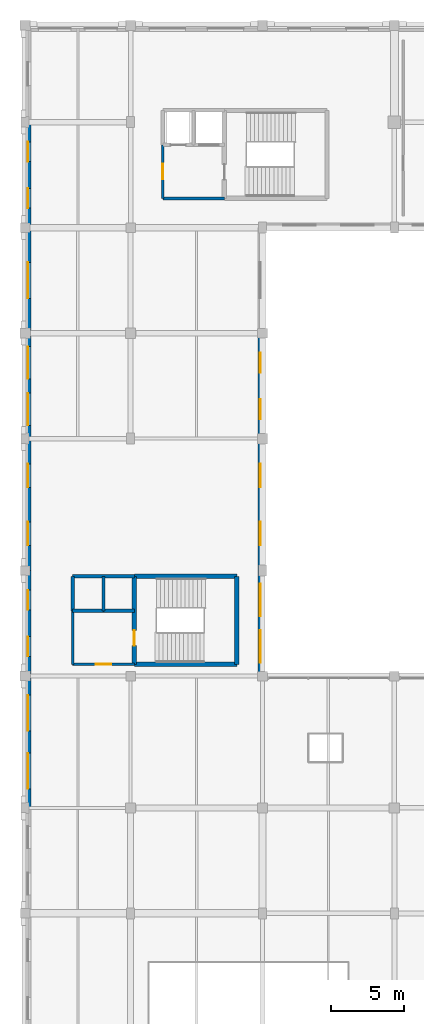
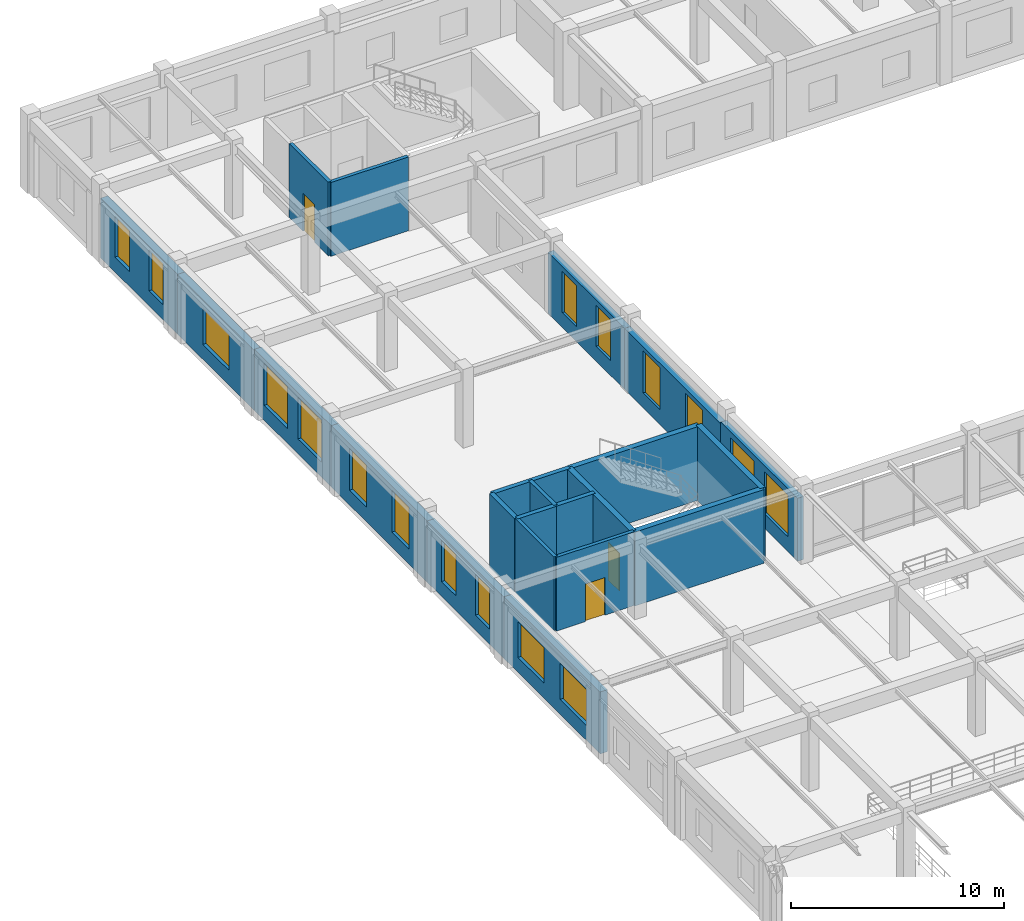
# One storey, part 41 of 62: 22 walls, 17 windows, 3 doors, 20 openings.
"""IFC4 building model written with IfcOpenShell, lengths in metres."""

import ifcopenshell
import ifcopenshell.guid

model = None  # the IFC model being written
_history = None  # IfcOwnerHistory: only IFC2X3 demands one
_inside = {}  # id of a spatial element -> (the spatial element, [elements in it])
_under = {}  # id of a project, library or spatial element -> (it, [spatial elements below it])
_declared = {}  # id of a project -> (the project, [libraries it declares])
_typed = {}  # id of a type object -> (the type object, [elements of that type])
_made_of = {}  # id of a material, layer set ... -> (it, [elements and type objects made of it])


def new_model(schema):
    """Start an empty IFC model of exactly this schema.

    Asked for "IFC4X3", IfcOpenShell would pick the latest addendum, in which some entities
    have other attributes; the version numbers below select the first issue.
    IFC2X3 requires an IfcOwnerHistory on every rooted entity: one is made here for all.
    """
    global model, _history
    if schema == "IFC4X3":
        model = ifcopenshell.file(schema_version=(4, 3, 0, 0))
    else:
        model = ifcopenshell.file(schema=schema)
    _inside.clear()
    _under.clear()
    _declared.clear()
    _typed.clear()
    _made_of.clear()
    _history = None
    if model.schema == "IFC2X3":
        org = make("IfcOrganization", Name="unknown")
        user = make(
            "IfcPersonAndOrganization",
            ThePerson=make("IfcPerson", FamilyName="unknown"),
            TheOrganization=org,
        )
        app = make(
            "IfcApplication",
            ApplicationDeveloper=org,
            Version="unknown",
            ApplicationFullName="unknown",
            ApplicationIdentifier="unknown",
        )
        _history = make(
            "IfcOwnerHistory",
            OwningUser=user,
            OwningApplication=app,
            ChangeAction="ADDED",
            CreationDate=0,
        )
    return model


def make(cls, **values):
    """One entity of the class cls with the attributes given. An attribute that is None is left unset."""
    return model.create_entity(
        cls, **{name: value for name, value in values.items() if value is not None}
    )


def rooted(cls, **values):
    """An entity with a GlobalId (a new one), such as an element, a storey or a relation."""
    return make(cls, GlobalId=ifcopenshell.guid.new(), OwnerHistory=_history, **values)


def si_unit(unit_type, name, prefix=None):
    """IfcSIUnit, for example si_unit("LENGTHUNIT", "METRE", prefix="MILLI")."""
    return make("IfcSIUnit", UnitType=unit_type, Prefix=prefix, Name=name)


def assignment(units):
    """IfcUnitAssignment: the units of a project."""
    return None if units is None else make("IfcUnitAssignment", Units=units)


def point(xyz):
    """IfcCartesianPoint."""
    return None if xyz is None else make("IfcCartesianPoint", Coordinates=xyz)


def direction(xyz):
    """IfcDirection."""
    return None if xyz is None else make("IfcDirection", DirectionRatios=xyz)


def frame(location, z_axis=None, x_axis=None):
    """IfcAxis2Placement3D, a coordinate frame: its origin and axes. An axis left out is left unset."""
    return make(
        "IfcAxis2Placement3D",
        Location=point(location),
        Axis=direction(z_axis),
        RefDirection=direction(x_axis),
    )


def frame_2d(location, x_axis=None):
    """IfcAxis2Placement2D, a coordinate frame in the plane: its origin and x axis."""
    return make(
        "IfcAxis2Placement2D", Location=point(location), RefDirection=direction(x_axis)
    )


def origin():
    """The frame at (0, 0, 0) with its axes left unset."""
    return frame((0.0, 0.0, 0.0))


def place(relative_to, where):
    """IfcLocalPlacement: puts the frame where relative to a parent placement (None: the world)."""
    return make(
        "IfcLocalPlacement", PlacementRelTo=relative_to, RelativePlacement=where
    )


def context(
    kind, dimensions, precision=None, world=None, true_north=None, identifier=None
):
    """IfcGeometricRepresentationContext, for example the 3D "Model" context."""
    return make(
        "IfcGeometricRepresentationContext",
        ContextIdentifier=identifier,
        ContextType=kind,
        CoordinateSpaceDimension=dimensions,
        Precision=precision,
        WorldCoordinateSystem=world,
        TrueNorth=true_north,
    )


def subcontext(parent, identifier, kind, view, scale=None):
    """IfcGeometricRepresentationSubContext, for example "Body" below "Model"."""
    return make(
        "IfcGeometricRepresentationSubContext",
        ContextIdentifier=identifier,
        ContextType=kind,
        ParentContext=parent,
        TargetScale=scale,
        TargetView=view,
    )


def project(units=None, contexts=None):
    """IfcProject with its units and contexts."""
    return rooted(
        "IfcProject",
        Name="project",
        RepresentationContexts=contexts,
        UnitsInContext=assignment(units),
    )


def spatial(cls, under=None, at=None, **own):
    """A site, building, storey or space (cls), placed at a placement, below another one or the project."""
    s = rooted(cls, ObjectPlacement=at, **own)
    if under is not None:
        _under.setdefault(under.id(), (under, []))[1].append(s)
    return s


def profile(cls, at=None, kind="AREA", **sizes):
    """A parametric profile (cls). Its sizes go by their IFC names, for example OverallWidth=200.0."""
    return make(cls, ProfileType=kind, Position=at, **sizes)


def rectangle(**sizes):
    """IfcRectangleProfileDef."""
    return profile("IfcRectangleProfileDef", **sizes)


def extrude(swept, where, along, depth):
    """IfcExtrudedAreaSolid: the profile swept, set in the frame where, extruded along a direction by depth."""
    return make(
        "IfcExtrudedAreaSolid",
        SweptArea=swept,
        Position=where,
        ExtrudedDirection=direction(along),
        Depth=depth,
    )


def shape(context_of_items, identifier, shape_type, items):
    """IfcShapeRepresentation: the items that make up one representation, for example the "Body"."""
    return make(
        "IfcShapeRepresentation",
        ContextOfItems=context_of_items,
        RepresentationIdentifier=identifier,
        RepresentationType=shape_type,
        Items=items,
    )


def material(Name=None, Category=None):
    """IfcMaterial."""
    return make("IfcMaterial", Name=Name, Category=Category)


def layer(
    of_material, thickness, ventilated=None, Name=None, Category=None, Priority=None
):
    """IfcMaterialLayer: one layer of a wall or slab, of a material (None: an air gap)."""
    return make(
        "IfcMaterialLayer",
        Material=of_material,
        LayerThickness=thickness,
        IsVentilated=ventilated,
        Name=Name,
        Category=Category,
        Priority=Priority,
    )


def layer_set(layers, Name=None):
    """IfcMaterialLayerSet."""
    return make("IfcMaterialLayerSet", MaterialLayers=layers, LayerSetName=Name)


def made_of(thing, what):
    """Note that an element or type object is made of a material, layer set ...; save() writes the relation."""
    if what is not None:
        _made_of.setdefault(what.id(), (what, []))[1].append(thing)
    return thing


def type_object(cls, material=None, **own):
    """A type object (cls), such as IfcWallType, which elements share."""
    return made_of(rooted(cls, **own), material)


def element(
    cls,
    number,
    at=None,
    inside=None,
    cuts=None,
    type_object=None,
    material=None,
    context=None,
    identifier="Body",
    shape_type=None,
    held_by="IfcProductDefinitionShape",
    body=None,
    shapes=None,
    **own,
):
    """One element of the class cls, such as IfcWall. Its Tag is "e" and its number.

    at: its placement. inside: the storey or other place that contains it. cuts: it is an
    opening in that element (IfcRelVoidsElement). A single representation is given by context,
    identifier, shape_type and body (its items); several are given by shapes. held_by: the class
    of the entity that holds the representations. save() writes the other relations.
    """
    e = rooted(cls, Tag="e%d" % number, ObjectPlacement=at, **own)
    if body is not None:
        shapes = [shape(context, identifier, shape_type, body)]
    if shapes is not None:
        e.Representation = make(held_by, Representations=shapes)
    if inside is not None:
        _inside.setdefault(inside.id(), (inside, []))[1].append(e)
    if cuts is not None:
        rooted(
            "IfcRelVoidsElement", RelatingBuildingElement=cuts, RelatedOpeningElement=e
        )
    if type_object is not None:
        _typed.setdefault(type_object.id(), (type_object, []))[1].append(e)
    return made_of(e, material)


def fill(opening, filler):
    """IfcRelFillsElement: the door or window that sits in an opening."""
    return rooted(
        "IfcRelFillsElement",
        RelatingOpeningElement=opening,
        RelatedBuildingElement=filler,
    )


def aggregate(whole, parts):
    """IfcRelAggregates: a whole, such as a stair, and the parts it consists of."""
    return rooted("IfcRelAggregates", RelatingObject=whole, RelatedObjects=parts)


def save(model, path):
    """Write the relations noted so far, then the file.

    IfcRelAggregates (storeys below a building ...), IfcRelContainedInSpatialStructure (elements
    in a storey), IfcRelDefinesByType, IfcRelAssociatesMaterial and IfcRelDeclares: one each for
    every whole, place, type object, material and project.
    """
    for whole, parts in _under.values():
        aggregate(whole, parts)
    for where, things in _inside.values():
        rooted(
            "IfcRelContainedInSpatialStructure",
            RelatedElements=things,
            RelatingStructure=where,
        )
    for kind, things in _typed.values():
        rooted("IfcRelDefinesByType", RelatedObjects=things, RelatingType=kind)
    for what, things in _made_of.values():
        rooted("IfcRelAssociatesMaterial", RelatedObjects=things, RelatingMaterial=what)
    for by, libraries in _declared.values():
        rooted("IfcRelDeclares", RelatingContext=by, RelatedDefinitions=libraries)
    model.write(path)


model = new_model("IFC4")

# Units and contexts
model_context = context("Model", 3, precision=1e-05, world=origin(), true_north=direction((0.0, 1.0)))
body_context = subcontext(model_context, "Body", "Model", "MODEL_VIEW")
ifc_project = project(units=[si_unit("LENGTHUNIT", "METRE"), si_unit("AREAUNIT", "SQUARE_METRE"), si_unit("VOLUMEUNIT", "CUBIC_METRE"), si_unit("PLANEANGLEUNIT", "RADIAN"), si_unit("MASSUNIT", "GRAM", prefix="KILO")], contexts=[model_context])

# Site, building, storey
site_placement = place(None, origin())
site = spatial("IfcSite", under=ifc_project, at=site_placement, CompositionType="ELEMENT")
building_placement = place(site_placement, origin())
building = spatial("IfcBuilding", under=site, at=building_placement, Name="Clarverna Civic Hall", CompositionType="ELEMENT")
storey_placement = place(building_placement, frame((0.0, 0.0, 5.10009765625)))
storey = spatial("IfcBuildingStorey", under=building, at=storey_placement, Name="L01", CompositionType="ELEMENT", Elevation=5.10009765625)

# Wall, openings, windows
ifc_material_1 = material(Name="Montjuic Limestone Ashlar Cladding", Category="masonry")
ifc_layer_1 = layer(ifc_material_1, 0.39990234375)
ifc_layer_set_1 = layer_set([ifc_layer_1], Name="Montjuic Limestone Ashlar Cladding")
wall_type_1 = type_object("IfcWallType", Name="EW-02", PredefinedType="SOLIDWALL", material=ifc_layer_set_1)
wall_1_placement = place(storey_placement, frame((0.199951171875, 62.60009765625, 0.0), z_axis=(0.0, 0.0, 1.0), x_axis=(0.0, 1.0, 0.0)))
wall_1 = element("IfcWall", 1, at=wall_1_placement, inside=storey, type_object=wall_type_1, Name="EW-02-009", PredefinedType="SOLIDWALL", context=body_context, shape_type="SweptSolid", body=[
    extrude(rectangle(XDim=9.0, YDim=0.39990234375, at=frame_2d((4.5, 0.0))), origin(), (0.0, 0.0, 1.0), 3.539794921875),
])
opening_1_placement = place(wall_1_placement, frame((1.294921875, 0.0, 0.85009765625)))
opening_1 = element("IfcOpeningElement", 2, at=opening_1_placement, cuts=wall_1, Name="Opening WN-24", PredefinedType="OPENING", context=body_context, shape_type="SweptSolid", body=[
    extrude(rectangle(XDim=2.449951171875, YDim=2.050048828125, at=frame_2d((1.22509765625, 1.02490234375))), frame((0.0, 0.2099609375, 0.0), z_axis=(0.0, -1.0, 0.0), x_axis=(1.0, 0.0, 0.0)), (0.0, 0.0, 1.0), 0.419921875),
])
opening_2_placement = place(wall_1_placement, frame((5.2548828125, 0.0, 0.85009765625)))
opening_2 = element("IfcOpeningElement", 3, at=opening_2_placement, cuts=wall_1, Name="Opening WN-24", PredefinedType="OPENING", context=body_context, shape_type="SweptSolid", body=[
    extrude(rectangle(XDim=2.449951171875, YDim=2.050048828125, at=frame_2d((1.22509765625, 1.02490234375))), frame((0.0, 0.2099609375, 0.0), z_axis=(0.0, -1.0, 0.0), x_axis=(1.0, 0.0, 0.0)), (0.0, 0.0, 1.0), 0.419921875),
])
ifc_material_2 = material(Name="Solar-Control Argon Low-E Double Glazing", Category="glass")
window_type_1 = type_object("IfcWindowType", Name="WN-24", PartitioningType="TRIPLE_PANEL_VERTICAL", PredefinedType="WINDOW", material=ifc_material_2)
window_1_placement = place(opening_1_placement, origin())
window_1 = element("IfcWindow", 4, at=window_1_placement, inside=storey, type_object=window_type_1, Name="WN-24-004", OverallHeight=2.050048828125, OverallWidth=2.449951171875, PartitioningType="TRIPLE_PANEL_VERTICAL", PredefinedType="WINDOW", context=body_context, shape_type="SweptSolid", body=[
    extrude(rectangle(XDim=2.449951171875, YDim=2.050048828125, at=frame_2d((1.22509765625, 1.02490234375))), frame((0.0, 0.030029296875, 0.0), z_axis=(0.0, -1.0, 0.0), x_axis=(1.0, 0.0, 0.0)), (0.0, 0.0, 1.0), 0.06005859375),
])
fill(opening_1, window_1)
window_2_placement = place(opening_2_placement, origin())
window_2 = element("IfcWindow", 5, at=window_2_placement, inside=storey, type_object=window_type_1, Name="WN-24-005", OverallHeight=2.050048828125, OverallWidth=2.449951171875, PartitioningType="TRIPLE_PANEL_VERTICAL", PredefinedType="WINDOW", context=body_context, shape_type="SweptSolid", body=[
    extrude(rectangle(XDim=2.449951171875, YDim=2.050048828125, at=frame_2d((1.22509765625, 1.02490234375))), frame((0.0, 0.030029296875, 0.0), z_axis=(0.0, -1.0, 0.0), x_axis=(1.0, 0.0, 0.0)), (0.0, 0.0, 1.0), 0.06005859375),
])
fill(opening_2, window_2)

wall_2_placement = place(storey_placement, frame((0.199951171875, 71.60009765625, 0.0), z_axis=(0.0, 0.0, 1.0), x_axis=(0.0, 1.0, 0.0)))
wall_2 = element("IfcWall", 6, at=wall_2_placement, inside=storey, type_object=wall_type_1, Name="EW-02-010", PredefinedType="SOLIDWALL", context=body_context, shape_type="SweptSolid", body=[
    extrude(rectangle(XDim=7.199951171875, YDim=0.39990234375, at=frame_2d((3.60009765625, 0.0))), origin(), (0.0, 0.0, 1.0), 3.5),
])
opening_3_placement = place(wall_2_placement, frame((1.341064453125, 0.0, 0.85009765625)))
opening_3 = element("IfcOpeningElement", 7, at=opening_3_placement, cuts=wall_2, Name="Opening WN-29", PredefinedType="OPENING", context=body_context, shape_type="SweptSolid", body=[
    extrude(rectangle(XDim=1.35009765625, YDim=2.35009765625, at=frame_2d((0.675048828125, 1.175048828125))), frame((0.0, 0.2099609375, 0.0), z_axis=(0.0, -1.0, 0.0), x_axis=(1.0, 0.0, 0.0)), (0.0, 0.0, 1.0), 0.419921875),
])
opening_4_placement = place(wall_2_placement, frame((4.509033203125, 0.0, 0.85009765625)))
opening_4 = element("IfcOpeningElement", 8, at=opening_4_placement, cuts=wall_2, Name="Opening WN-29", PredefinedType="OPENING", context=body_context, shape_type="SweptSolid", body=[
    extrude(rectangle(XDim=1.35009765625, YDim=2.35009765625, at=frame_2d((0.675048828125, 1.175048828125))), frame((0.0, 0.2099609375, 0.0), z_axis=(0.0, -1.0, 0.0), x_axis=(1.0, 0.0, 0.0)), (0.0, 0.0, 1.0), 0.419921875),
])
window_type_2 = type_object("IfcWindowType", Name="WN-29", PartitioningType="SINGLE_PANEL", PredefinedType="WINDOW", material=ifc_material_2)
window_3_placement = place(opening_3_placement, origin())
window_3 = element("IfcWindow", 9, at=window_3_placement, inside=storey, type_object=window_type_2, Name="WN-29-005", OverallHeight=2.35009765625, OverallWidth=1.35009765625, PartitioningType="SINGLE_PANEL", PredefinedType="WINDOW", context=body_context, shape_type="SweptSolid", body=[
    extrude(rectangle(XDim=1.35009765625, YDim=2.35009765625, at=frame_2d((0.675048828125, 1.175048828125))), frame((0.0, 0.030029296875, 0.0), z_axis=(0.0, -1.0, 0.0), x_axis=(1.0, 0.0, 0.0)), (0.0, 0.0, 1.0), 0.06005859375),
])
fill(opening_3, window_3)
window_4_placement = place(opening_4_placement, origin())
window_4 = element("IfcWindow", 10, at=window_4_placement, inside=storey, type_object=window_type_2, Name="WN-29-006", OverallHeight=2.35009765625, OverallWidth=1.35009765625, PartitioningType="SINGLE_PANEL", PredefinedType="WINDOW", context=body_context, shape_type="SweptSolid", body=[
    extrude(rectangle(XDim=1.35009765625, YDim=2.35009765625, at=frame_2d((0.675048828125, 1.175048828125))), frame((0.0, 0.030029296875, 0.0), z_axis=(0.0, -1.0, 0.0), x_axis=(1.0, 0.0, 0.0)), (0.0, 0.0, 1.0), 0.06005859375),
])
fill(opening_4, window_4)

wall_3_placement = place(storey_placement, frame((0.199951171875, 78.800048828125, 0.0), z_axis=(0.0, 0.0, 1.0), x_axis=(0.0, 1.0, 0.0)))
wall_3 = element("IfcWall", 11, at=wall_3_placement, inside=storey, type_object=wall_type_1, Name="EW-02-011", PredefinedType="SOLIDWALL", context=body_context, shape_type="SweptSolid", body=[
    extrude(rectangle(XDim=9.0, YDim=0.39990234375, at=frame_2d((4.5, 0.0))), origin(), (0.0, 0.0, 1.0), 3.5),
])
opening_5_placement = place(wall_3_placement, frame((1.719970703125, 0.0, 0.85009765625)))
opening_5 = element("IfcOpeningElement", 12, at=opening_5_placement, cuts=wall_3, Name="Opening WN-03", PredefinedType="OPENING", context=body_context, shape_type="SweptSolid", body=[
    extrude(rectangle(XDim=1.60009765625, YDim=2.39990234375, at=frame_2d((0.800048828125, 1.199951171875))), frame((0.0, 0.2099609375, 0.0), z_axis=(0.0, -1.0, 0.0), x_axis=(1.0, 0.0, 0.0)), (0.0, 0.0, 1.0), 0.419921875),
])
opening_6_placement = place(wall_3_placement, frame((5.679931640625, 0.0, 0.85009765625)))
opening_6 = element("IfcOpeningElement", 13, at=opening_6_placement, cuts=wall_3, Name="Opening WN-03", PredefinedType="OPENING", context=body_context, shape_type="SweptSolid", body=[
    extrude(rectangle(XDim=1.60009765625, YDim=2.39990234375, at=frame_2d((0.800048828125, 1.199951171875))), frame((0.0, 0.2099609375, 0.0), z_axis=(0.0, -1.0, 0.0), x_axis=(1.0, 0.0, 0.0)), (0.0, 0.0, 1.0), 0.419921875),
])
window_type_3 = type_object("IfcWindowType", Name="WN-03", PartitioningType="DOUBLE_PANEL_VERTICAL", PredefinedType="WINDOW", material=ifc_material_2)
window_5_placement = place(opening_5_placement, origin())
window_5 = element("IfcWindow", 14, at=window_5_placement, inside=storey, type_object=window_type_3, Name="WN-03-003", OverallHeight=2.39990234375, OverallWidth=1.60009765625, PartitioningType="DOUBLE_PANEL_VERTICAL", PredefinedType="WINDOW", context=body_context, shape_type="SweptSolid", body=[
    extrude(rectangle(XDim=1.60009765625, YDim=2.39990234375, at=frame_2d((0.800048828125, 1.199951171875))), frame((0.0, 0.030029296875, 0.0), z_axis=(0.0, -1.0, 0.0), x_axis=(1.0, 0.0, 0.0)), (0.0, 0.0, 1.0), 0.06005859375),
])
fill(opening_5, window_5)
window_6_placement = place(opening_6_placement, origin())
window_6 = element("IfcWindow", 15, at=window_6_placement, inside=storey, type_object=window_type_3, Name="WN-03-004", OverallHeight=2.39990234375, OverallWidth=1.60009765625, PartitioningType="DOUBLE_PANEL_VERTICAL", PredefinedType="WINDOW", context=body_context, shape_type="SweptSolid", body=[
    extrude(rectangle(XDim=1.60009765625, YDim=2.39990234375, at=frame_2d((0.800048828125, 1.199951171875))), frame((0.0, 0.030029296875, 0.0), z_axis=(0.0, -1.0, 0.0), x_axis=(1.0, 0.0, 0.0)), (0.0, 0.0, 1.0), 0.06005859375),
])
fill(opening_6, window_6)

wall_4_placement = place(storey_placement, frame((0.199951171875, 87.800048828125, 0.0), z_axis=(0.0, 0.0, 1.0), x_axis=(0.0, 1.0, 0.0)))
wall_4 = element("IfcWall", 16, at=wall_4_placement, inside=storey, type_object=wall_type_1, Name="EW-02-012", PredefinedType="SOLIDWALL", context=body_context, shape_type="SweptSolid", body=[
    extrude(rectangle(XDim=7.199951171875, YDim=0.39990234375, at=frame_2d((3.60009765625, 0.0))), origin(), (0.0, 0.0, 1.0), 3.5),
])
opening_7_placement = place(wall_4_placement, frame((0.916015625, 0.0, 0.85009765625)))
opening_7 = element("IfcOpeningElement", 17, at=opening_7_placement, cuts=wall_4, Name="Opening WN-04", PredefinedType="OPENING", context=body_context, shape_type="SweptSolid", body=[
    extrude(rectangle(XDim=2.199951171875, YDim=2.39990234375, at=frame_2d((1.10009765625, 1.199951171875))), frame((0.0, 0.2099609375, 0.0), z_axis=(0.0, -1.0, 0.0), x_axis=(1.0, 0.0, 0.0)), (0.0, 0.0, 1.0), 0.419921875),
])
opening_8_placement = place(wall_4_placement, frame((4.083984375, 0.0, 0.85009765625)))
opening_8 = element("IfcOpeningElement", 18, at=opening_8_placement, cuts=wall_4, Name="Opening WN-04", PredefinedType="OPENING", context=body_context, shape_type="SweptSolid", body=[
    extrude(rectangle(XDim=2.199951171875, YDim=2.39990234375, at=frame_2d((1.10009765625, 1.199951171875))), frame((0.0, 0.2099609375, 0.0), z_axis=(0.0, -1.0, 0.0), x_axis=(1.0, 0.0, 0.0)), (0.0, 0.0, 1.0), 0.419921875),
])
window_type_4 = type_object("IfcWindowType", Name="WN-04", PartitioningType="DOUBLE_PANEL_VERTICAL", PredefinedType="WINDOW", material=ifc_material_2)
window_7_placement = place(opening_7_placement, origin())
window_7 = element("IfcWindow", 19, at=window_7_placement, inside=storey, type_object=window_type_4, Name="WN-04-002", OverallHeight=2.39990234375, OverallWidth=2.199951171875, PartitioningType="DOUBLE_PANEL_VERTICAL", PredefinedType="WINDOW", context=body_context, shape_type="SweptSolid", body=[
    extrude(rectangle(XDim=2.199951171875, YDim=2.39990234375, at=frame_2d((1.10009765625, 1.199951171875))), frame((0.0, 0.030029296875, 0.0), z_axis=(0.0, -1.0, 0.0), x_axis=(1.0, 0.0, 0.0)), (0.0, 0.0, 1.0), 0.06005859375),
])
fill(opening_7, window_7)
window_8_placement = place(opening_8_placement, origin())
window_8 = element("IfcWindow", 20, at=window_8_placement, inside=storey, type_object=window_type_4, Name="WN-04-003", OverallHeight=2.39990234375, OverallWidth=2.199951171875, PartitioningType="DOUBLE_PANEL_VERTICAL", PredefinedType="WINDOW", context=body_context, shape_type="SweptSolid", body=[
    extrude(rectangle(XDim=2.199951171875, YDim=2.39990234375, at=frame_2d((1.10009765625, 1.199951171875))), frame((0.0, 0.030029296875, 0.0), z_axis=(0.0, -1.0, 0.0), x_axis=(1.0, 0.0, 0.0)), (0.0, 0.0, 1.0), 0.06005859375),
])
fill(opening_8, window_8)

# Wall, opening, window
wall_5_placement = place(storey_placement, frame((0.199951171875, 95.0, 0.0), z_axis=(0.0, 0.0, 1.0), x_axis=(0.0, 1.0, 0.0)))
wall_5 = element("IfcWall", 21, at=wall_5_placement, inside=storey, type_object=wall_type_1, Name="EW-02-013", PredefinedType="SOLIDWALL", context=body_context, shape_type="SweptSolid", body=[
    extrude(rectangle(XDim=7.199951171875, YDim=0.39990234375, at=frame_2d((3.60009765625, 0.0))), origin(), (0.0, 0.0, 1.0), 3.419921875),
])
opening_9_placement = place(wall_5_placement, frame((2.375, 0.0, 0.85009765625)))
opening_9 = element("IfcOpeningElement", 22, at=opening_9_placement, cuts=wall_5, Name="Opening WN-24", PredefinedType="OPENING", context=body_context, shape_type="SweptSolid", body=[
    extrude(rectangle(XDim=2.449951171875, YDim=2.050048828125, at=frame_2d((1.22509765625, 1.02490234375))), frame((0.0, 0.2099609375, 0.0), z_axis=(0.0, -1.0, 0.0), x_axis=(1.0, 0.0, 0.0)), (0.0, 0.0, 1.0), 0.419921875),
])
window_9_placement = place(opening_9_placement, origin())
window_9 = element("IfcWindow", 23, at=window_9_placement, inside=storey, type_object=window_type_1, Name="WN-24-006", OverallHeight=2.050048828125, OverallWidth=2.449951171875, PartitioningType="TRIPLE_PANEL_VERTICAL", PredefinedType="WINDOW", context=body_context, shape_type="SweptSolid", body=[
    extrude(rectangle(XDim=2.449951171875, YDim=2.050048828125, at=frame_2d((1.22509765625, 1.02490234375))), frame((0.0, 0.030029296875, 0.0), z_axis=(0.0, -1.0, 0.0), x_axis=(1.0, 0.0, 0.0)), (0.0, 0.0, 1.0), 0.06005859375),
])
fill(opening_9, window_9)

# Wall, openings, windows
wall_6_placement = place(storey_placement, frame((0.199951171875, 102.199951171875, 0.0), z_axis=(0.0, 0.0, 1.0), x_axis=(0.0, 1.0, 0.0)))
wall_6 = element("IfcWall", 24, at=wall_6_placement, inside=storey, type_object=wall_type_1, Name="EW-02-014", PredefinedType="SOLIDWALL", context=body_context, shape_type="SweptSolid", body=[
    extrude(rectangle(XDim=7.199951171875, YDim=0.39990234375, at=frame_2d((3.60009765625, 0.0))), origin(), (0.0, 0.0, 1.0), 3.419921875),
])
opening_10_placement = place(wall_6_placement, frame((1.341064453125, 0.0, 0.85009765625)))
opening_10 = element("IfcOpeningElement", 25, at=opening_10_placement, cuts=wall_6, Name="Opening WN-29", PredefinedType="OPENING", context=body_context, shape_type="SweptSolid", body=[
    extrude(rectangle(XDim=1.35009765625, YDim=2.35009765625, at=frame_2d((0.675048828125, 1.175048828125))), frame((0.0, 0.2099609375, 0.0), z_axis=(0.0, -1.0, 0.0), x_axis=(1.0, 0.0, 0.0)), (0.0, 0.0, 1.0), 0.419921875),
])
opening_11_placement = place(wall_6_placement, frame((4.509033203125, 0.0, 0.85009765625)))
opening_11 = element("IfcOpeningElement", 26, at=opening_11_placement, cuts=wall_6, Name="Opening WN-29", PredefinedType="OPENING", context=body_context, shape_type="SweptSolid", body=[
    extrude(rectangle(XDim=1.35009765625, YDim=2.35009765625, at=frame_2d((0.675048828125, 1.175048828125))), frame((0.0, 0.2099609375, 0.0), z_axis=(0.0, -1.0, 0.0), x_axis=(1.0, 0.0, 0.0)), (0.0, 0.0, 1.0), 0.419921875),
])
window_10_placement = place(opening_10_placement, origin())
window_10 = element("IfcWindow", 27, at=window_10_placement, inside=storey, type_object=window_type_2, Name="WN-29-007", OverallHeight=2.35009765625, OverallWidth=1.35009765625, PartitioningType="SINGLE_PANEL", PredefinedType="WINDOW", context=body_context, shape_type="SweptSolid", body=[
    extrude(rectangle(XDim=1.35009765625, YDim=2.35009765625, at=frame_2d((0.675048828125, 1.175048828125))), frame((0.0, 0.030029296875, 0.0), z_axis=(0.0, -1.0, 0.0), x_axis=(1.0, 0.0, 0.0)), (0.0, 0.0, 1.0), 0.06005859375),
])
fill(opening_10, window_10)
window_11_placement = place(opening_11_placement, origin())
window_11 = element("IfcWindow", 28, at=window_11_placement, inside=storey, type_object=window_type_2, Name="WN-29-008", OverallHeight=2.35009765625, OverallWidth=1.35009765625, PartitioningType="SINGLE_PANEL", PredefinedType="WINDOW", context=body_context, shape_type="SweptSolid", body=[
    extrude(rectangle(XDim=1.35009765625, YDim=2.35009765625, at=frame_2d((0.675048828125, 1.175048828125))), frame((0.0, 0.030029296875, 0.0), z_axis=(0.0, -1.0, 0.0), x_axis=(1.0, 0.0, 0.0)), (0.0, 0.0, 1.0), 0.06005859375),
])
fill(opening_11, window_11)

ifc_material_3 = material(Name="Precast concrete C40/50", Category="concrete")
ifc_layer_2 = layer(ifc_material_3, 0.320068359375)
ifc_layer_set_2 = layer_set([ifc_layer_2], Name="Precast concrete C40/50")
wall_type_2 = type_object("IfcWallType", Name="EW-04", PredefinedType="SOLIDWALL", material=ifc_layer_set_2)
wall_7_placement = place(storey_placement, frame((16.0400390625, 95.0, 0.0), z_axis=(0.0, 0.0, 1.0), x_axis=(0.0, -1.0, 0.0)))
wall_7 = element("IfcWall", 29, at=wall_7_placement, inside=storey, type_object=wall_type_2, Name="EW-04-007", PredefinedType="SOLIDWALL", context=body_context, shape_type="SweptSolid", body=[
    extrude(rectangle(XDim=7.199951171875, YDim=0.320068359375, at=frame_2d((3.60009765625, 0.0))), origin(), (0.0, 0.0, 1.0), 3.5),
])
opening_12_placement = place(wall_7_placement, frame((1.341064453125, 0.0, 0.85009765625)))
opening_12 = element("IfcOpeningElement", 30, at=opening_12_placement, cuts=wall_7, Name="Opening WN-29", PredefinedType="OPENING", context=body_context, shape_type="SweptSolid", body=[
    extrude(rectangle(XDim=1.35009765625, YDim=2.35009765625, at=frame_2d((0.675048828125, 1.175048828125))), frame((0.0, 0.169921875, 0.0), z_axis=(0.0, -1.0, 0.0), x_axis=(1.0, 0.0, 0.0)), (0.0, 0.0, 1.0), 0.340087890625),
])
opening_13_placement = place(wall_7_placement, frame((4.509033203125, 0.0, 0.85009765625)))
opening_13 = element("IfcOpeningElement", 31, at=opening_13_placement, cuts=wall_7, Name="Opening WN-29", PredefinedType="OPENING", context=body_context, shape_type="SweptSolid", body=[
    extrude(rectangle(XDim=1.35009765625, YDim=2.35009765625, at=frame_2d((0.675048828125, 1.175048828125))), frame((0.0, 0.169921875, 0.0), z_axis=(0.0, -1.0, 0.0), x_axis=(1.0, 0.0, 0.0)), (0.0, 0.0, 1.0), 0.340087890625),
])
window_12_placement = place(opening_12_placement, origin())
window_12 = element("IfcWindow", 32, at=window_12_placement, inside=storey, type_object=window_type_2, Name="WN-29-036", OverallHeight=2.35009765625, OverallWidth=1.35009765625, PartitioningType="SINGLE_PANEL", PredefinedType="WINDOW", context=body_context, shape_type="SweptSolid", body=[
    extrude(rectangle(XDim=1.35009765625, YDim=2.35009765625, at=frame_2d((0.675048828125, 1.175048828125))), frame((0.0, 0.030029296875, 0.0), z_axis=(0.0, -1.0, 0.0), x_axis=(1.0, 0.0, 0.0)), (0.0, 0.0, 1.0), 0.06005859375),
])
fill(opening_12, window_12)
window_13_placement = place(opening_13_placement, origin())
window_13 = element("IfcWindow", 33, at=window_13_placement, inside=storey, type_object=window_type_2, Name="WN-29-037", OverallHeight=2.35009765625, OverallWidth=1.35009765625, PartitioningType="SINGLE_PANEL", PredefinedType="WINDOW", context=body_context, shape_type="SweptSolid", body=[
    extrude(rectangle(XDim=1.35009765625, YDim=2.35009765625, at=frame_2d((0.675048828125, 1.175048828125))), frame((0.0, 0.030029296875, 0.0), z_axis=(0.0, -1.0, 0.0), x_axis=(1.0, 0.0, 0.0)), (0.0, 0.0, 1.0), 0.06005859375),
])
fill(opening_13, window_13)

wall_8_placement = place(storey_placement, frame((16.0400390625, 87.800048828125, 0.0), z_axis=(0.0, 0.0, 1.0), x_axis=(0.0, -1.0, 0.0)))
wall_8 = element("IfcWall", 34, at=wall_8_placement, inside=storey, type_object=wall_type_2, Name="EW-04-008", PredefinedType="SOLIDWALL", context=body_context, shape_type="SweptSolid", body=[
    extrude(rectangle(XDim=9.0, YDim=0.320068359375, at=frame_2d((4.5, 0.0))), origin(), (0.0, 0.0, 1.0), 3.5),
])
opening_14_placement = place(wall_8_placement, frame((1.719970703125, 0.0, 0.85009765625)))
opening_14 = element("IfcOpeningElement", 35, at=opening_14_placement, cuts=wall_8, Name="Opening WN-03", PredefinedType="OPENING", context=body_context, shape_type="SweptSolid", body=[
    extrude(rectangle(XDim=1.60009765625, YDim=2.39990234375, at=frame_2d((0.800048828125, 1.199951171875))), frame((0.0, 0.169921875, 0.0), z_axis=(0.0, -1.0, 0.0), x_axis=(1.0, 0.0, 0.0)), (0.0, 0.0, 1.0), 0.340087890625),
])
opening_15_placement = place(wall_8_placement, frame((5.679931640625, 0.0, 0.85009765625)))
opening_15 = element("IfcOpeningElement", 36, at=opening_15_placement, cuts=wall_8, Name="Opening WN-03", PredefinedType="OPENING", context=body_context, shape_type="SweptSolid", body=[
    extrude(rectangle(XDim=1.60009765625, YDim=2.39990234375, at=frame_2d((0.800048828125, 1.199951171875))), frame((0.0, 0.169921875, 0.0), z_axis=(0.0, -1.0, 0.0), x_axis=(1.0, 0.0, 0.0)), (0.0, 0.0, 1.0), 0.340087890625),
])
window_14_placement = place(opening_14_placement, origin())
window_14 = element("IfcWindow", 37, at=window_14_placement, inside=storey, type_object=window_type_3, Name="WN-03-032", OverallHeight=2.39990234375, OverallWidth=1.60009765625, PartitioningType="DOUBLE_PANEL_VERTICAL", PredefinedType="WINDOW", context=body_context, shape_type="SweptSolid", body=[
    extrude(rectangle(XDim=1.60009765625, YDim=2.39990234375, at=frame_2d((0.800048828125, 1.199951171875))), frame((0.0, 0.030029296875, 0.0), z_axis=(0.0, -1.0, 0.0), x_axis=(1.0, 0.0, 0.0)), (0.0, 0.0, 1.0), 0.06005859375),
])
fill(opening_14, window_14)
window_15_placement = place(opening_15_placement, origin())
window_15 = element("IfcWindow", 38, at=window_15_placement, inside=storey, type_object=window_type_3, Name="WN-03-033", OverallHeight=2.39990234375, OverallWidth=1.60009765625, PartitioningType="DOUBLE_PANEL_VERTICAL", PredefinedType="WINDOW", context=body_context, shape_type="SweptSolid", body=[
    extrude(rectangle(XDim=1.60009765625, YDim=2.39990234375, at=frame_2d((0.800048828125, 1.199951171875))), frame((0.0, 0.030029296875, 0.0), z_axis=(0.0, -1.0, 0.0), x_axis=(1.0, 0.0, 0.0)), (0.0, 0.0, 1.0), 0.06005859375),
])
fill(opening_15, window_15)

wall_9_placement = place(storey_placement, frame((16.0400390625, 78.800048828125, 0.0), z_axis=(0.0, 0.0, 1.0), x_axis=(0.0, -1.0, 0.0)))
wall_9 = element("IfcWall", 39, at=wall_9_placement, inside=storey, type_object=wall_type_2, Name="EW-04-009", PredefinedType="SOLIDWALL", context=body_context, shape_type="SweptSolid", body=[
    extrude(rectangle(XDim=7.199951171875, YDim=0.320068359375, at=frame_2d((3.60009765625, 0.0))), origin(), (0.0, 0.0, 1.0), 3.599853515625),
])
opening_16_placement = place(wall_9_placement, frame((0.916015625, 0.0, 0.85009765625)))
opening_16 = element("IfcOpeningElement", 40, at=opening_16_placement, cuts=wall_9, Name="Opening WN-04", PredefinedType="OPENING", context=body_context, shape_type="SweptSolid", body=[
    extrude(rectangle(XDim=2.199951171875, YDim=2.39990234375, at=frame_2d((1.10009765625, 1.199951171875))), frame((0.0, 0.169921875, 0.0), z_axis=(0.0, -1.0, 0.0), x_axis=(1.0, 0.0, 0.0)), (0.0, 0.0, 1.0), 0.340087890625),
])
opening_17_placement = place(wall_9_placement, frame((4.083984375, 0.0, 0.85009765625)))
opening_17 = element("IfcOpeningElement", 41, at=opening_17_placement, cuts=wall_9, Name="Opening WN-04", PredefinedType="OPENING", context=body_context, shape_type="SweptSolid", body=[
    extrude(rectangle(XDim=2.199951171875, YDim=2.39990234375, at=frame_2d((1.10009765625, 1.199951171875))), frame((0.0, 0.169921875, 0.0), z_axis=(0.0, -1.0, 0.0), x_axis=(1.0, 0.0, 0.0)), (0.0, 0.0, 1.0), 0.340087890625),
])
window_16_placement = place(opening_16_placement, origin())
window_16 = element("IfcWindow", 42, at=window_16_placement, inside=storey, type_object=window_type_4, Name="WN-04-033", OverallHeight=2.39990234375, OverallWidth=2.199951171875, PartitioningType="DOUBLE_PANEL_VERTICAL", PredefinedType="WINDOW", context=body_context, shape_type="SweptSolid", body=[
    extrude(rectangle(XDim=2.199951171875, YDim=2.39990234375, at=frame_2d((1.10009765625, 1.199951171875))), frame((0.0, 0.030029296875, 0.0), z_axis=(0.0, -1.0, 0.0), x_axis=(1.0, 0.0, 0.0)), (0.0, 0.0, 1.0), 0.06005859375),
])
fill(opening_16, window_16)
window_17_placement = place(opening_17_placement, origin())
window_17 = element("IfcWindow", 43, at=window_17_placement, inside=storey, type_object=window_type_4, Name="WN-04-034", OverallHeight=2.39990234375, OverallWidth=2.199951171875, PartitioningType="DOUBLE_PANEL_VERTICAL", PredefinedType="WINDOW", context=body_context, shape_type="SweptSolid", body=[
    extrude(rectangle(XDim=2.199951171875, YDim=2.39990234375, at=frame_2d((1.10009765625, 1.199951171875))), frame((0.0, 0.030029296875, 0.0), z_axis=(0.0, -1.0, 0.0), x_axis=(1.0, 0.0, 0.0)), (0.0, 0.0, 1.0), 0.06005859375),
])
fill(opening_17, window_17)

# Wall, opening, door
ifc_material_4 = material(Name="Acoustic Gypsum Plasterboard on Twin Frame", Category="gypsum")
ifc_layer_3 = layer(ifc_material_4, 0.18994140625)
ifc_layer_set_3 = layer_set([ifc_layer_3], Name="Acoustic Gypsum Plasterboard on Twin Frame")
wall_type_3 = type_object("IfcWallType", Name="PW-06", PredefinedType="PARTITIONING", material=ifc_layer_set_3)
wall_10_placement = place(storey_placement, frame((9.39990234375, 104.199951171875, 0.0), z_axis=(0.0, 0.0, 1.0), x_axis=(0.0, 1.0, 0.0)))
wall_10 = element("IfcWall", 44, at=wall_10_placement, inside=storey, type_object=wall_type_3, Name="PW-06-061", PredefinedType="PARTITIONING", context=body_context, shape_type="SweptSolid", body=[
    extrude(rectangle(XDim=3.650146484375, YDim=0.18994140625, at=frame_2d((1.8251953125, 0.0))), origin(), (0.0, 0.0, 1.0), 4.219970703125),
])
opening_18_placement = place(wall_10_placement, frame((1.300048828125, 0.0, 0.0)))
opening_18 = element("IfcOpeningElement", 45, at=opening_18_placement, cuts=wall_10, Name="Opening FD-02", PredefinedType="OPENING", context=body_context, shape_type="SweptSolid", body=[
    extrude(rectangle(XDim=1.050048828125, YDim=2.14990234375, at=frame_2d((0.52490234375, 1.074951171875))), frame((0.0, 0.10498046875, 0.0), z_axis=(0.0, -1.0, 0.0), x_axis=(1.0, 0.0, 0.0)), (0.0, 0.0, 1.0), 0.2099609375),
])
ifc_material_5 = material(Name="Acoustic Timber-Faced Fire Door", Category="wood")
door_type = type_object("IfcDoorType", Name="FD-02", OperationType="NOTDEFINED", PredefinedType="DOOR", material=ifc_material_5)
door_1_placement = place(opening_18_placement, origin())
door_1 = element("IfcDoor", 46, at=door_1_placement, inside=storey, type_object=door_type, Name="FD-02-057", OperationType="SINGLE_SWING_RIGHT", OverallHeight=2.14990234375, OverallWidth=1.050048828125, PredefinedType="DOOR", context=body_context, shape_type="SweptSolid", body=[
    extrude(rectangle(XDim=1.050048828125, YDim=2.14990234375, at=frame_2d((0.52490234375, 1.074951171875))), frame((0.0, 0.02490234375, 0.0), z_axis=(0.0, -1.0, 0.0), x_axis=(1.0, 0.0, 0.0)), (0.0, 0.0, 1.0), 0.050048828125),
])
fill(opening_18, door_1)

# Walls
wall_11_placement = place(storey_placement, frame((9.39990234375, 104.199951171875, 0.0), z_axis=(0.0, 0.0, 1.0), x_axis=(1.0, 0.0, 0.0)))
element("IfcWall", 47, at=wall_11_placement, inside=storey, type_object=wall_type_3, Name="PW-06-062", PredefinedType="PARTITIONING", context=body_context, shape_type="SweptSolid", body=[
    extrude(rectangle(XDim=4.2001953125, YDim=0.18994140625, at=frame_2d((2.10009765625, 0.0))), origin(), (0.0, 0.0, 1.0), 4.219970703125),
])
wall_12_placement = place(storey_placement, frame((3.25, 72.39990234375, 0.0), z_axis=(0.0, 0.0, 1.0), x_axis=(0.0, 1.0, 0.0)))
element("IfcWall", 48, at=wall_12_placement, inside=storey, type_object=wall_type_3, Name="PW-06-119", PredefinedType="PARTITIONING", context=body_context, shape_type="SweptSolid", body=[
    extrude(rectangle(XDim=3.650146484375, YDim=0.18994140625, at=frame_2d((1.8251953125, 0.0))), origin(), (0.0, 0.0, 1.0), 4.219970703125),
])

# Wall, opening, door
wall_13_placement = place(storey_placement, frame((3.25, 72.39990234375, 0.0), z_axis=(0.0, 0.0, 1.0), x_axis=(1.0, 0.0, 0.0)))
wall_13 = element("IfcWall", 49, at=wall_13_placement, inside=storey, type_object=wall_type_3, Name="PW-06-120", PredefinedType="PARTITIONING", context=body_context, shape_type="SweptSolid", body=[
    extrude(rectangle(XDim=4.199951171875, YDim=0.18994140625, at=frame_2d((2.10009765625, 0.0))), origin(), (0.0, 0.0, 1.0), 4.219970703125),
])
opening_19_placement = place(wall_13_placement, frame((1.574951171875, 0.0, 0.0)))
opening_19 = element("IfcOpeningElement", 50, at=opening_19_placement, cuts=wall_13, Name="Opening FD-02", PredefinedType="OPENING", context=body_context, shape_type="SweptSolid", body=[
    extrude(rectangle(XDim=1.050048828125, YDim=2.14990234375, at=frame_2d((0.52490234375, 1.074951171875))), frame((0.0, 0.10498046875, 0.0), z_axis=(0.0, -1.0, 0.0), x_axis=(1.0, 0.0, 0.0)), (0.0, 0.0, 1.0), 0.2099609375),
])
door_2_placement = place(opening_19_placement, origin())
door_2 = element("IfcDoor", 51, at=door_2_placement, inside=storey, type_object=door_type, Name="FD-02-110", OperationType="SINGLE_SWING_RIGHT", OverallHeight=2.14990234375, OverallWidth=1.050048828125, PredefinedType="DOOR", context=body_context, shape_type="SweptSolid", body=[
    extrude(rectangle(XDim=1.050048828125, YDim=2.14990234375, at=frame_2d((0.52490234375, 1.074951171875))), frame((0.0, 0.02490234375, 0.0), z_axis=(0.0, -1.0, 0.0), x_axis=(1.0, 0.0, 0.0)), (0.0, 0.0, 1.0), 0.050048828125),
])
fill(opening_19, door_2)

ifc_material_6 = material(Name="Concrete C35/45", Category="concrete")
ifc_layer_4 = layer(ifc_material_6, 0.300048828125)
ifc_layer_set_4 = layer_set([ifc_layer_4], Name="Concrete C35/45")
wall_type_4 = type_object("IfcWallType", Name="SW-03", PredefinedType="SHEAR", material=ifc_layer_set_4)
wall_14_placement = place(storey_placement, frame((7.449951171875, 72.39990234375, 0.0), z_axis=(0.0, 0.0, 1.0), x_axis=(0.0, 1.0, 0.0)))
wall_14 = element("IfcWall", 52, at=wall_14_placement, inside=storey, type_object=wall_type_4, Name="SW-03-280", PredefinedType="SHEAR", context=body_context, shape_type="SweptSolid", body=[
    extrude(rectangle(XDim=6.0, YDim=0.300048828125, at=frame_2d((3.0, 0.0))), origin(), (0.0, 0.0, 1.0), 4.219970703125),
])
opening_20_placement = place(wall_14_placement, frame((1.27490234375, 0.0, 0.0)))
opening_20 = element("IfcOpeningElement", 53, at=opening_20_placement, cuts=wall_14, Name="Opening FD-02", PredefinedType="OPENING", context=body_context, shape_type="SweptSolid", body=[
    extrude(rectangle(XDim=1.050048828125, YDim=2.14990234375, at=frame_2d((0.52490234375, 1.074951171875))), frame((0.0, 0.159912109375, 0.0), z_axis=(0.0, -1.0, 0.0), x_axis=(1.0, 0.0, 0.0)), (0.0, 0.0, 1.0), 0.320068359375),
])
door_3_placement = place(opening_20_placement, origin())
door_3 = element("IfcDoor", 54, at=door_3_placement, inside=storey, type_object=door_type, Name="FD-02-109", OperationType="SINGLE_SWING_LEFT", OverallHeight=2.14990234375, OverallWidth=1.050048828125, PredefinedType="DOOR", context=body_context, shape_type="SweptSolid", body=[
    extrude(rectangle(XDim=1.050048828125, YDim=2.14990234375, at=frame_2d((0.52490234375, 1.074951171875))), frame((0.0, 0.02490234375, 0.0), z_axis=(0.0, -1.0, 0.0), x_axis=(1.0, 0.0, 0.0)), (0.0, 0.0, 1.0), 0.050048828125),
])
fill(opening_20, door_3)

# Walls
wall_15_placement = place(storey_placement, frame((14.449951171875, 72.39990234375, 0.0), z_axis=(0.0, 0.0, 1.0), x_axis=(0.0, 1.0, 0.0)))
element("IfcWall", 55, at=wall_15_placement, inside=storey, type_object=wall_type_4, Name="SW-03-281", PredefinedType="SHEAR", context=body_context, shape_type="SweptSolid", body=[
    extrude(rectangle(XDim=6.0, YDim=0.300048828125, at=frame_2d((3.0, 0.0))), origin(), (0.0, 0.0, 1.0), 4.219970703125),
])
for number, where, z_axis, x_axis, name in (
    (56, (7.449951171875, 72.39990234375, 0.0), (0.0, 0.0, 1.0), (1.0, 0.0, 0.0), "SW-03-282"),
    (57, (7.449951171875, 78.39990234375, 0.0), (0.0, 0.0, 1.0), (1.0, 0.0, 0.0), "SW-03-283"),
):
    element("IfcWall", number, at=place(storey_placement, frame(where, z_axis=z_axis, x_axis=x_axis)), inside=storey, type_object=wall_type_4, Name=name, PredefinedType="SHEAR", context=body_context, shape_type="SweptSolid", body=[
        extrude(rectangle(XDim=7.0, YDim=0.300048828125, at=frame_2d((3.5, 0.0))), origin(), (0.0, 0.0, 1.0), 4.219970703125),
    ])
wall_16_placement = place(storey_placement, frame((3.25, 78.39990234375, 0.0), z_axis=(0.0, 0.0, 1.0), x_axis=(1.0, 0.0, 0.0)))
element("IfcWall", 58, at=wall_16_placement, inside=storey, type_object=wall_type_4, Name="SW-03-284", PredefinedType="SHEAR", context=body_context, shape_type="SweptSolid", body=[
    extrude(rectangle(XDim=4.199951171875, YDim=0.239990234375, at=frame_2d((2.10009765625, 0.0))), origin(), (0.0, 0.0, 1.0), 4.219970703125),
])
wall_17_placement = place(storey_placement, frame((3.25, 76.050048828125, 0.0), z_axis=(0.0, 0.0, 1.0), x_axis=(0.0, 1.0, 0.0)))
element("IfcWall", 59, at=wall_17_placement, inside=storey, type_object=wall_type_4, Name="SW-03-285", PredefinedType="SHEAR", context=body_context, shape_type="SweptSolid", body=[
    extrude(rectangle(XDim=2.349853515625, YDim=0.239990234375, at=frame_2d((1.1748046875, 0.0))), origin(), (0.0, 0.0, 1.0), 4.219970703125),
])
wall_18_placement = place(storey_placement, frame((5.35009765625, 76.050048828125, 0.0), z_axis=(0.0, 0.0, 1.0), x_axis=(0.0, 1.0, 0.0)))
element("IfcWall", 60, at=wall_18_placement, inside=storey, type_object=wall_type_4, Name="SW-03-286", PredefinedType="SHEAR", context=body_context, shape_type="SweptSolid", body=[
    extrude(rectangle(XDim=2.349853515625, YDim=0.199951171875, at=frame_2d((1.1748046875, 0.0))), origin(), (0.0, 0.0, 1.0), 4.219970703125),
])
wall_19_placement = place(storey_placement, frame((3.25, 76.050048828125, 0.0), z_axis=(0.0, 0.0, 1.0), x_axis=(1.0, 0.0, 0.0)))
element("IfcWall", 61, at=wall_19_placement, inside=storey, type_object=wall_type_4, Name="SW-03-287", PredefinedType="SHEAR", context=body_context, shape_type="SweptSolid", body=[
    extrude(rectangle(XDim=2.10009765625, YDim=0.239990234375, at=frame_2d((1.050048828125, 0.0))), origin(), (0.0, 0.0, 1.0), 4.219970703125),
])
wall_20_placement = place(storey_placement, frame((5.35009765625, 76.050048828125, 0.0), z_axis=(0.0, 0.0, 1.0), x_axis=(1.0, 0.0, 0.0)))
element("IfcWall", 62, at=wall_20_placement, inside=storey, type_object=wall_type_4, Name="SW-03-288", PredefinedType="SHEAR", context=body_context, shape_type="SweptSolid", body=[
    extrude(rectangle(XDim=2.099853515625, YDim=0.239990234375, at=frame_2d((1.0498046875, 0.0))), origin(), (0.0, 0.0, 1.0), 4.219970703125),
])

save(model, "model.ifc")
